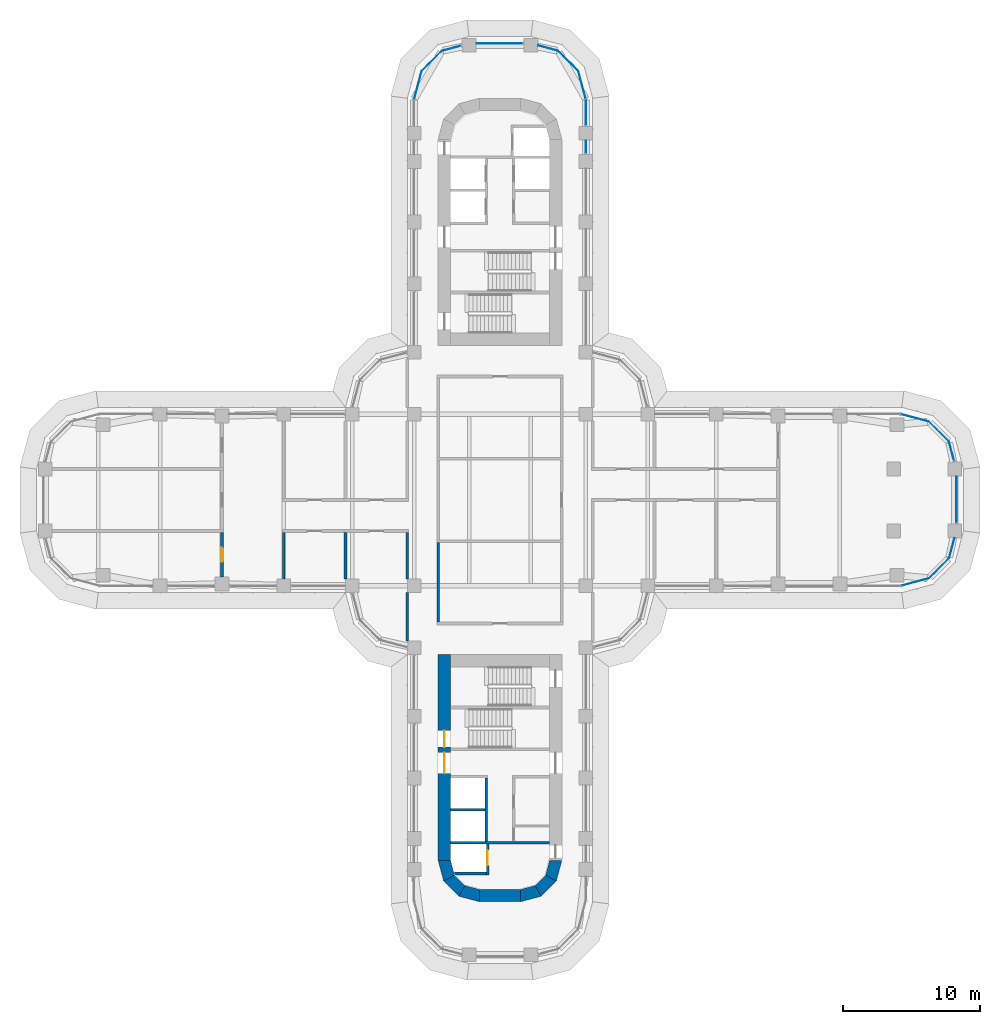
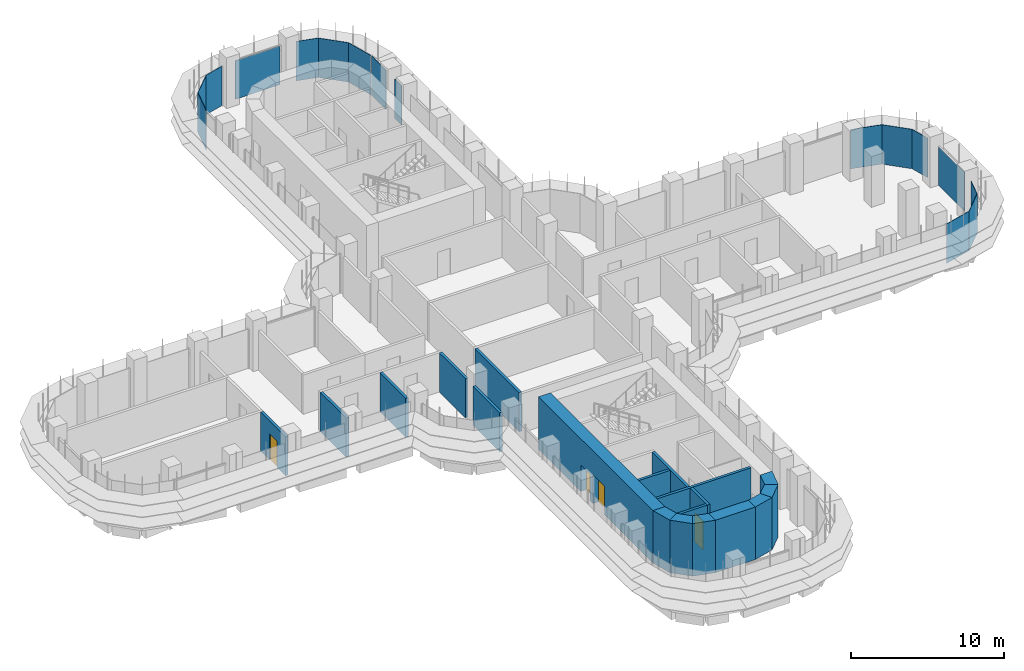
# One storey, part 16 of 23: 19 walls, 16 plates, 4 doors, 4 openings, 15 elements without a shape of their own.
"""IFC4 building model written with IfcOpenShell, lengths in metres."""

from ifc_helpers import new_model, si_unit, direction, frame, frame_2d, origin, place, context, subcontext, project, spatial, polyline, rectangle, outline, extrude, source, transform, mapped, material, layer, layer_set, type_object, element, fill, aggregate, save


model = new_model("IFC4")

# Units and contexts
model_context = context("Model", 3, precision=1e-05, world=origin(), true_north=direction((0.0, 1.0)))
body_context = subcontext(model_context, "Body", "Model", "MODEL_VIEW")
ifc_project = project(units=[si_unit("LENGTHUNIT", "METRE"), si_unit("AREAUNIT", "SQUARE_METRE"), si_unit("VOLUMEUNIT", "CUBIC_METRE"), si_unit("PLANEANGLEUNIT", "RADIAN"), si_unit("MASSUNIT", "GRAM", prefix="KILO")], contexts=[model_context])

# Site, building, storey
site_placement = place(None, origin())
site = spatial("IfcSite", under=ifc_project, at=site_placement, CompositionType="ELEMENT")
building_placement = place(site_placement, origin())
building = spatial("IfcBuilding", under=site, at=building_placement, Name="Zarbagh Exchange Tower", CompositionType="ELEMENT")
storey_placement = place(building_placement, frame((0.0, 0.0, 39.60009765625)))
storey = spatial("IfcBuildingStorey", under=building, at=storey_placement, Name="L08", CompositionType="ELEMENT", Elevation=39.60009765625)

# Curtain wall, plate
ifc_material_1 = material(Name="Anodised aluminium frame and glazing", Category="aluminium")
curtain_wall_type = type_object("IfcCurtainWallType", Name="CWA Ribbon glazing, lower zones", PredefinedType="NOTDEFINED", material=ifc_material_1)
curtain_wall_1_placement = place(storey_placement, origin())
curtain_wall_1 = element("IfcCurtainWall", 1, at=curtain_wall_1_placement, inside=storey, type_object=curtain_wall_type, Name="CWA13 curtain wall", PredefinedType="NOTDEFINED")
ifc_material_2 = material(Name="Low-e double glazed unit, 6+12+6 mm")
ifc_layer_1 = layer(ifc_material_2, 0.028076171875)
ifc_layer_set_1 = layer_set([ifc_layer_1], Name="PAA Glazing panel, Low-e double glazed unit, 6+12+6 mm")
plate_type = type_object("IfcPlateType", Name="PAA Glazing panel, Low-e double glazed unit, 6+12+6 mm", PredefinedType="CURTAIN_PANEL", material=ifc_layer_set_1)
shared_shape_1 = source(origin(), body_context, "Body", "SweptSolid", [
    extrude(outline(polyline([(0.0, -0.013916015625), (1.4423828125, -0.013916015625), (1.4423828125, 0.013916015625), (0.0, 0.013916015625), (0.0, -0.013916015625)])), origin(), (0.0, 0.0, 1.0), 3.14990234375),
])
placement = place(storey_placement, origin())
plate_1 = element("IfcPlate", 2, at=placement, type_object=plate_type, Name="CWA13 glazing panel 1.1", PredefinedType="CURTAIN_PANEL", context=body_context, shape_type="MappedRepresentation", body=[
    mapped(shared_shape_1, transform((33.072021484375, 2.847900390625, 0.0), x_axis=(-0.258824779902, 0.965924289636, 0.0), y_axis=(-0.965924289636, -0.258824779902, 0.0), z_axis=(0.0, 0.0, 1.0))),
])
aggregate(curtain_wall_1, [plate_1])

curtain_wall_2_placement = place(storey_placement, origin())
curtain_wall_2 = element("IfcCurtainWall", 3, at=curtain_wall_2_placement, inside=storey, type_object=curtain_wall_type, Name="CWA25 curtain wall", PredefinedType="NOTDEFINED")
plate_2 = element("IfcPlate", 4, at=placement, type_object=plate_type, Name="CWA25 glazing panel 1.1", PredefinedType="CURTAIN_PANEL", context=body_context, shape_type="MappedRepresentation", body=[
    mapped(shared_shape_1, transform((-2.847900390625, 33.072021484375, 0.0), x_axis=(-0.965924289636, -0.258824779902, 0.0), y_axis=(0.258824779902, -0.965924289636, 0.0), z_axis=(0.0, 0.0, 1.0))),
])
aggregate(curtain_wall_2, [plate_2])

curtain_wall_3_placement = place(storey_placement, origin())
curtain_wall_3 = element("IfcCurtainWall", 5, at=curtain_wall_3_placement, inside=storey, type_object=curtain_wall_type, Name="CWA10 curtain wall", PredefinedType="NOTDEFINED")
shared_shape_2 = source(origin(), body_context, "Body", "SweptSolid", [
    extrude(outline(polyline([(0.0, -0.013916015625), (2.061279296875, -0.013916015625), (2.061279296875, 0.013916015625), (0.0, 0.013916015625), (0.0, -0.013916015625)])), origin(), (0.0, 0.0, 1.0), 3.14990234375),
])
plate_3 = element("IfcPlate", 6, at=placement, type_object=plate_type, Name="CWA10 glazing panel 1.1", PredefinedType="CURTAIN_PANEL", context=body_context, shape_type="MappedRepresentation", body=[
    mapped(shared_shape_2, transform((31.2412109375, -5.69873046875, 0.0), x_axis=(0.707106781187, 0.707106781187, 0.0), y_axis=(-0.707106781187, 0.707106781187, 0.0), z_axis=(0.0, 0.0, 1.0))),
])
aggregate(curtain_wall_3, [plate_3])

curtain_wall_4_placement = place(storey_placement, origin())
curtain_wall_4 = element("IfcCurtainWall", 7, at=curtain_wall_4_placement, inside=storey, type_object=curtain_wall_type, Name="CWA14 curtain wall", PredefinedType="NOTDEFINED")
plate_4 = element("IfcPlate", 8, at=placement, type_object=plate_type, Name="CWA14 glazing panel 1.1", PredefinedType="CURTAIN_PANEL", context=body_context, shape_type="MappedRepresentation", body=[
    mapped(shared_shape_2, transform((32.69873046875, 4.2412109375, 0.0), x_axis=(-0.707106781187, 0.707106781187, 0.0), y_axis=(-0.707106781187, -0.707106781187, 0.0), z_axis=(0.0, 0.0, 1.0))),
])
aggregate(curtain_wall_4, [plate_4])

curtain_wall_5_placement = place(storey_placement, origin())
curtain_wall_5 = element("IfcCurtainWall", 9, at=curtain_wall_5_placement, inside=storey, type_object=curtain_wall_type, Name="CWA22 curtain wall", PredefinedType="NOTDEFINED")
plate_5 = element("IfcPlate", 10, at=placement, type_object=plate_type, Name="CWA22 glazing panel 1.1", PredefinedType="CURTAIN_PANEL", context=body_context, shape_type="MappedRepresentation", body=[
    mapped(shared_shape_2, transform((5.69873046875, 31.2412109375, 0.0), x_axis=(-0.707106781187, 0.707106781187, 0.0), y_axis=(-0.707106781187, -0.707106781187, 0.0), z_axis=(0.0, 0.0, 1.0))),
])
aggregate(curtain_wall_5, [plate_5])

curtain_wall_6_placement = place(storey_placement, origin())
curtain_wall_6 = element("IfcCurtainWall", 11, at=curtain_wall_6_placement, inside=storey, type_object=curtain_wall_type, Name="CWA26 curtain wall", PredefinedType="NOTDEFINED")
plate_6 = element("IfcPlate", 12, at=placement, type_object=plate_type, Name="CWA26 glazing panel 1.1", PredefinedType="CURTAIN_PANEL", context=body_context, shape_type="MappedRepresentation", body=[
    mapped(shared_shape_2, transform((-4.2412109375, 32.69873046875, 0.0), x_axis=(-0.707106781187, -0.707106781187, 0.0), y_axis=(0.707106781187, -0.707106781187, 0.0), z_axis=(0.0, 0.0, 1.0))),
])
aggregate(curtain_wall_6, [plate_6])

curtain_wall_7_placement = place(storey_placement, origin())
curtain_wall_7 = element("IfcCurtainWall", 13, at=curtain_wall_7_placement, inside=storey, type_object=curtain_wall_type, Name="CWA15 curtain wall", PredefinedType="NOTDEFINED")
shared_shape_3 = source(origin(), body_context, "Body", "SweptSolid", [
    extrude(outline(polyline([(0.0, -0.013916015625), (2.129638671875, -0.013916015625), (2.129638671875, 0.013916015625), (0.0, 0.013916015625), (0.0, -0.013916015625)])), origin(), (0.0, 0.0, 1.0), 3.14990234375),
])
plate_7 = element("IfcPlate", 14, at=placement, type_object=plate_type, Name="CWA15 glazing panel 1.1", PredefinedType="CURTAIN_PANEL", context=body_context, shape_type="MappedRepresentation", body=[
    mapped(shared_shape_3, transform((31.2412109375, 5.69873046875, 0.0), x_axis=(-0.965924289636, 0.258824779902, 0.0), y_axis=(-0.258824779902, -0.965924289636, 0.0), z_axis=(0.0, 0.0, 1.0))),
])
aggregate(curtain_wall_7, [plate_7])

curtain_wall_8_placement = place(storey_placement, origin())
curtain_wall_8 = element("IfcCurtainWall", 15, at=curtain_wall_8_placement, inside=storey, type_object=curtain_wall_type, Name="CWA27 curtain wall", PredefinedType="NOTDEFINED")
plate_8 = element("IfcPlate", 16, at=placement, type_object=plate_type, Name="CWA27 glazing panel 1.1", PredefinedType="CURTAIN_PANEL", context=body_context, shape_type="MappedRepresentation", body=[
    mapped(shared_shape_3, transform((-5.69873046875, 31.2412109375, 0.0), x_axis=(-0.258824779902, -0.965924289636, 0.0), y_axis=(0.965924289636, -0.258824779902, 0.0), z_axis=(0.0, 0.0, 1.0))),
])
aggregate(curtain_wall_8, [plate_8])

curtain_wall_9_placement = place(storey_placement, origin())
curtain_wall_9 = element("IfcCurtainWall", 17, at=curtain_wall_9_placement, inside=storey, type_object=curtain_wall_type, Name="CWA09 curtain wall", PredefinedType="NOTDEFINED")
shared_shape_4 = source(origin(), body_context, "Body", "SweptSolid", [
    extrude(outline(polyline([(0.0, -0.013916015625), (2.069580078125, -0.013916015625), (2.069580078125, 0.013916015625), (0.0, 0.013916015625), (0.0, -0.013916015625)])), origin(), (0.0, 0.0, 1.0), 3.14990234375),
])
plate_9 = element("IfcPlate", 18, at=placement, type_object=plate_type, Name="CWA09 glazing panel 1.1", PredefinedType="CURTAIN_PANEL", context=body_context, shape_type="MappedRepresentation", body=[
    mapped(shared_shape_4, transform((29.2421875, -6.234375, 0.0), x_axis=(0.965924289636, 0.258824779902, 0.0), y_axis=(-0.258824779902, 0.965924289636, 0.0), z_axis=(0.0, 0.0, 1.0))),
])
aggregate(curtain_wall_9, [plate_9])

curtain_wall_10_placement = place(storey_placement, origin())
curtain_wall_10 = element("IfcCurtainWall", 19, at=curtain_wall_10_placement, inside=storey, type_object=curtain_wall_type, Name="CWA21 curtain wall", PredefinedType="NOTDEFINED")
plate_10 = element("IfcPlate", 20, at=placement, type_object=plate_type, Name="CWA21 glazing panel 1.1", PredefinedType="CURTAIN_PANEL", context=body_context, shape_type="MappedRepresentation", body=[
    mapped(shared_shape_4, transform((6.234375, 29.2421875, 0.0), x_axis=(-0.258824779902, 0.965924289636, 0.0), y_axis=(-0.965924289636, -0.258824779902, 0.0), z_axis=(0.0, 0.0, 1.0))),
])
aggregate(curtain_wall_10, [plate_10])

curtain_wall_11_placement = place(storey_placement, origin())
curtain_wall_11 = element("IfcCurtainWall", 21, at=curtain_wall_11_placement, inside=storey, type_object=curtain_wall_type, Name="CWA11 curtain wall", PredefinedType="NOTDEFINED")
shared_shape_5 = source(origin(), body_context, "Body", "SweptSolid", [
    extrude(outline(polyline([(0.0, -0.013916015625), (1.50244140625, -0.013916015625), (1.50244140625, 0.013916015625), (0.0, 0.013916015625), (0.0, -0.013916015625)])), origin(), (0.0, 0.0, 1.0), 3.14990234375),
])
plate_11 = element("IfcPlate", 22, at=placement, type_object=plate_type, Name="CWA11 glazing panel 1.1", PredefinedType="CURTAIN_PANEL", context=body_context, shape_type="MappedRepresentation", body=[
    mapped(shared_shape_5, transform((32.69873046875, -4.2412109375, 0.0), x_axis=(0.258824779902, 0.965924289636, 0.0), y_axis=(-0.965924289636, 0.258824779902, 0.0), z_axis=(0.0, 0.0, 1.0))),
])
aggregate(curtain_wall_11, [plate_11])

curtain_wall_12_placement = place(storey_placement, origin())
curtain_wall_12 = element("IfcCurtainWall", 23, at=curtain_wall_12_placement, inside=storey, type_object=curtain_wall_type, Name="CWA23 curtain wall", PredefinedType="NOTDEFINED")
plate_12 = element("IfcPlate", 24, at=placement, type_object=plate_type, Name="CWA23 glazing panel 1.1", PredefinedType="CURTAIN_PANEL", context=body_context, shape_type="MappedRepresentation", body=[
    mapped(shared_shape_5, transform((4.2412109375, 32.69873046875, 0.0), x_axis=(-0.965924289636, 0.258824779902, 0.0), y_axis=(-0.258824779902, -0.965924289636, 0.0), z_axis=(0.0, 0.0, 1.0))),
])
aggregate(curtain_wall_12, [plate_12])

curtain_wall_13_placement = place(storey_placement, origin())
curtain_wall_13 = element("IfcCurtainWall", 25, at=curtain_wall_13_placement, inside=storey, type_object=curtain_wall_type, Name="CWA12 curtain wall", PredefinedType="NOTDEFINED")
shared_shape_6 = source(origin(), body_context, "Body", "SweptSolid", [
    extrude(outline(polyline([(0.0, -0.013916015625), (3.360107421875, -0.013916015625), (3.360107421875, 0.013916015625), (0.0, 0.013916015625), (0.0, -0.013916015625)])), origin(), (0.0, 0.0, 1.0), 3.090087890625),
])
plate_13 = element("IfcPlate", 26, at=placement, type_object=plate_type, Name="CWA12 glazing panel 1.1", PredefinedType="CURTAIN_PANEL", context=body_context, shape_type="MappedRepresentation", body=[
    mapped(shared_shape_6, transform((33.25, -1.64990234375, 0.0), x_axis=(0.0, 1.0, 0.0), y_axis=(-1.0, 0.0, 0.0), z_axis=(0.0, 0.0, 1.0))),
])
aggregate(curtain_wall_13, [plate_13])

curtain_wall_14_placement = place(storey_placement, origin())
curtain_wall_14 = element("IfcCurtainWall", 27, at=curtain_wall_14_placement, inside=storey, type_object=curtain_wall_type, Name="CWA24 curtain wall", PredefinedType="NOTDEFINED")
plate_14 = element("IfcPlate", 28, at=placement, type_object=plate_type, Name="CWA24 glazing panel 1.1", PredefinedType="CURTAIN_PANEL", context=body_context, shape_type="MappedRepresentation", body=[
    mapped(shared_shape_6, transform((1.64990234375, 33.25, 0.0), x_axis=(-1.0, 0.0, 0.0), y_axis=(0.0, -1.0, 0.0), z_axis=(0.0, 0.0, 1.0))),
])
aggregate(curtain_wall_14, [plate_14])

# Curtain wall, plates
curtain_wall_15_placement = place(storey_placement, origin())
curtain_wall_15 = element("IfcCurtainWall", 29, at=curtain_wall_15_placement, inside=storey, type_object=curtain_wall_type, Name="CWA20 curtain wall", PredefinedType="NOTDEFINED")
shared_shape_7 = source(origin(), body_context, "Body", "SweptSolid", [
    extrude(outline(polyline([(0.0, -0.013916015625), (0.909912109375, -0.013916015625), (0.909912109375, 0.013916015625), (0.0, 0.013916015625), (0.0, -0.013916015625)])), origin(), (0.0, 0.0, 1.0), 3.14990234375),
])
plate_15 = element("IfcPlate", 30, at=placement, type_object=plate_type, Name="CWA20 glazing panel 4.1", PredefinedType="CURTAIN_PANEL", context=body_context, shape_type="MappedRepresentation", body=[
    mapped(shared_shape_7, transform((6.25, 25.25, 0.0), x_axis=(0.0, 1.0, 0.0), y_axis=(-1.0, 0.0, 0.0), z_axis=(0.0, 0.0, 1.0))),
])
shared_shape_8 = source(origin(), body_context, "Body", "SweptSolid", [
    extrude(outline(polyline([(0.0, -0.013916015625), (1.884033203125, -0.013916015625), (1.884033203125, 0.013916015625), (0.0, 0.013916015625), (0.0, -0.013916015625)])), origin(), (0.0, 0.0, 1.0), 3.14990234375),
])
plate_16 = element("IfcPlate", 31, at=placement, type_object=plate_type, Name="CWA20 glazing panel 5.1", PredefinedType="CURTAIN_PANEL", context=body_context, shape_type="MappedRepresentation", body=[
    mapped(shared_shape_8, transform((6.25, 27.300048828125, 0.0), x_axis=(0.0, 1.0, 0.0), y_axis=(-1.0, 0.0, 0.0), z_axis=(0.0, 0.0, 1.0))),
])
aggregate(curtain_wall_15, [plate_15, plate_16])

# Walls
ifc_material_3 = material(Name="Fire-rated plasterboard partition")
ifc_layer_2 = layer(ifc_material_3, 0.199951171875)
ifc_layer_set_2 = layer_set([ifc_layer_2], Name="RATED PARTITION 200")
wall_type_1 = type_object("IfcWallType", Name="RATED PARTITION 200", PredefinedType="PARTITIONING", material=ifc_layer_set_2)
wall_1_placement = place(storey_placement, frame((-4.5, -8.89990234375, 0.0), z_axis=(0.0, 0.0, 1.0), x_axis=(0.0, 1.0, 0.0)))
element("IfcWall", 32, at=wall_1_placement, inside=storey, type_object=wall_type_1, Name="Partition W-203", PredefinedType="PARTITIONING", context=body_context, shape_type="SweptSolid", body=[
    extrude(rectangle(XDim=5.7998046875, YDim=0.199951171875, at=frame_2d((2.89990234375, 0.0))), origin(), (0.0, 0.0, 1.0), 3.13037109375),
])
wall_2_placement = place(storey_placement, frame((-6.75, -10.25, 0.0), z_axis=(0.0, 0.0, 1.0), x_axis=(0.0, 1.0, 0.0)))
element("IfcWall", 33, at=wall_2_placement, inside=storey, type_object=wall_type_1, Name="Partition W-206", PredefinedType="PARTITIONING", context=body_context, shape_type="SweptSolid", body=[
    extrude(rectangle(XDim=3.5, YDim=0.199951171875, at=frame_2d((1.75, 0.0))), origin(), (0.0, 0.0, 1.0), 3.13037109375),
])
for number, where, z_axis, x_axis, name in (
    (34, (-6.75, -5.75, 0.0), (0.0, 0.0, 1.0), (0.0, 1.0, 0.0), "Partition W-207"),
    (35, (-11.25, -5.75, 0.0), (0.0, 0.0, 1.0), (0.0, 1.0, 0.0), "Partition W-235"),
    (36, (-15.75, -5.75, 0.0), (0.0, 0.0, 1.0), (0.0, 1.0, 0.0), "Partition W-237"),
):
    element("IfcWall", number, at=place(storey_placement, frame(where, z_axis=z_axis, x_axis=x_axis)), inside=storey, type_object=wall_type_1, Name=name, PredefinedType="PARTITIONING", context=body_context, shape_type="SweptSolid", body=[
        extrude(rectangle(XDim=3.39990234375, YDim=0.199951171875, at=frame_2d((1.699951171875, 0.0))), origin(), (0.0, 0.0, 1.0), 3.13037109375),
    ])

# Wall, opening, door
wall_3_placement = place(storey_placement, frame((-20.25, -5.610107421875, 0.0), z_axis=(0.0, 0.0, 1.0), x_axis=(0.0, 1.0, 0.0)))
wall_3 = element("IfcWall", 37, at=wall_3_placement, inside=storey, type_object=wall_type_1, Name="Partition W-238", PredefinedType="PARTITIONING", context=body_context, shape_type="SweptSolid", body=[
    extrude(rectangle(XDim=3.260009765625, YDim=0.199951171875, at=frame_2d((1.6298828125, 0.0))), origin(), (0.0, 0.0, 1.0), 3.13037109375),
])
opening_1_placement = place(wall_3_placement, frame((1.1298828125, 0.0, 0.0)))
opening_1 = element("IfcOpeningElement", 38, at=opening_1_placement, cuts=wall_3, Name="Opening D-214", PredefinedType="OPENING", context=body_context, shape_type="SweptSolid", body=[
    extrude(rectangle(XDim=1.0, YDim=2.10009765625, at=frame_2d((0.5, 1.050048828125))), frame((0.0, 0.10986328125, 0.0), z_axis=(0.0, -1.0, 0.0), x_axis=(1.0, 0.0, 0.0)), (0.0, 0.0, 1.0), 0.219970703125),
])
ifc_material_4 = material(Name="Steel door set", Category="steel")
door_type_1 = type_object("IfcDoorType", Name="FIRE DOOR 1000 X 2100 FD30S", OperationType="NOTDEFINED", PredefinedType="DOOR", material=ifc_material_4)
door_1_placement = place(opening_1_placement, origin())
door_1 = element("IfcDoor", 39, at=door_1_placement, inside=storey, type_object=door_type_1, Name="Door D-214", OperationType="SINGLE_SWING_LEFT", OverallHeight=2.10009765625, OverallWidth=1.0, PredefinedType="DOOR", context=body_context, shape_type="SweptSolid", body=[
    extrude(rectangle(XDim=1.0, YDim=2.10009765625, at=frame_2d((0.5, 1.050048828125))), frame((0.0, 0.02490234375, 0.0), z_axis=(0.0, -1.0, 0.0), x_axis=(1.0, 0.0, 0.0)), (0.0, 0.0, 1.0), 0.050048828125),
])
fill(opening_1, door_1)

# Walls
ifc_material_5 = material(Name="Concrete C60/75", Category="concrete")
ifc_layer_3 = layer(ifc_material_5, 0.89990234375)
ifc_layer_set_3 = layer_set([ifc_layer_3], Name="RC core corner wall 900 C60/75")
wall_type_2 = type_object("IfcWallType", Name="RC core corner wall 900 C60/75", PredefinedType="SHEAR", material=ifc_layer_set_3)
wall_4_placement = place(storey_placement, origin())
element("IfcWall", 40, at=wall_4_placement, inside=storey, type_object=wall_type_2, Name="CW2 core S corner W", PredefinedType="SHEAR", context=body_context, shape_type="SweptSolid", body=[
    extrude(outline(polyline([(-4.5, -26.25), (-4.09814453125, -27.75), (-3.318603515625, -27.300048828125), (-3.60009765625, -26.25), (-4.5, -26.25)])), origin(), (0.0, 0.0, 1.0), 4.199951171875),
])
wall_5_placement = place(storey_placement, origin())
element("IfcWall", 41, at=wall_5_placement, inside=storey, type_object=wall_type_2, Name="CW2 core S corner W", PredefinedType="SHEAR", context=body_context, shape_type="SweptSolid", body=[
    extrude(outline(polyline([(-4.09814453125, -27.75), (-3.0, -28.84814453125), (-2.550048828125, -28.068603515625), (-3.318603515625, -27.300048828125), (-4.09814453125, -27.75)])), origin(), (0.0, 0.0, 1.0), 4.199951171875),
])
wall_6_placement = place(storey_placement, origin())
element("IfcWall", 42, at=wall_6_placement, inside=storey, type_object=wall_type_2, Name="CW2 core S corner W", PredefinedType="SHEAR", context=body_context, shape_type="SweptSolid", body=[
    extrude(outline(polyline([(-3.0, -28.84814453125), (-1.5, -29.25), (-1.5, -28.35009765625), (-2.550048828125, -28.068603515625), (-3.0, -28.84814453125)])), origin(), (0.0, 0.0, 1.0), 4.199951171875),
])
wall_7_placement = place(storey_placement, origin())
element("IfcWall", 43, at=wall_7_placement, inside=storey, type_object=wall_type_2, Name="CW2 core S corner E", PredefinedType="SHEAR", context=body_context, shape_type="SweptSolid", body=[
    extrude(outline(polyline([(4.5, -26.25), (4.09814453125, -27.75), (3.318603515625, -27.300048828125), (3.60009765625, -26.25), (4.5, -26.25)])), origin(), (0.0, 0.0, 1.0), 4.199951171875),
])
wall_8_placement = place(storey_placement, origin())
element("IfcWall", 44, at=wall_8_placement, inside=storey, type_object=wall_type_2, Name="CW2 core S corner E", PredefinedType="SHEAR", context=body_context, shape_type="SweptSolid", body=[
    extrude(outline(polyline([(4.09814453125, -27.75), (3.0, -28.84814453125), (2.550048828125, -28.068603515625), (3.318603515625, -27.300048828125), (4.09814453125, -27.75)])), origin(), (0.0, 0.0, 1.0), 4.199951171875),
])
wall_9_placement = place(storey_placement, origin())
element("IfcWall", 45, at=wall_9_placement, inside=storey, type_object=wall_type_2, Name="CW2 core S corner E", PredefinedType="SHEAR", context=body_context, shape_type="SweptSolid", body=[
    extrude(outline(polyline([(3.0, -28.84814453125), (1.5, -29.25), (1.5, -28.35009765625), (2.550048828125, -28.068603515625), (3.0, -28.84814453125)])), origin(), (0.0, 0.0, 1.0), 4.199951171875),
])

# Wall, openings, doors
ifc_layer_4 = layer(ifc_material_5, 0.89990234375)
ifc_layer_set_4 = layer_set([ifc_layer_4], Name="RC core wall 900 C60/75")
wall_type_3 = type_object("IfcWallType", Name="RC core wall 900 C60/75", PredefinedType="SHEAR", material=ifc_layer_set_4)
wall_10_placement = place(storey_placement, frame((-4.050048828125, -11.25, 0.0), z_axis=(0.0, 0.0, 1.0), x_axis=(0.0, -1.0, 0.0)))
wall_10 = element("IfcWall", 46, at=wall_10_placement, inside=storey, type_object=wall_type_3, Name="CW1 core S W", PredefinedType="SHEAR", context=body_context, shape_type="SweptSolid", body=[
    extrude(rectangle(XDim=15.0, YDim=0.89990234375, at=frame_2d((7.5, 0.0))), origin(), (0.0, 0.0, 1.0), 4.199951171875),
])
opening_2_placement = place(wall_10_placement, frame((7.14990234375, 0.0, 0.0)))
opening_2 = element("IfcOpeningElement", 47, at=opening_2_placement, cuts=wall_10, Name="Opening CD1-1500", PredefinedType="OPENING", context=body_context, shape_type="SweptSolid", body=[
    extrude(rectangle(XDim=1.5, YDim=2.300048828125, at=frame_2d((0.75, 1.14990234375))), frame((0.0, 0.4599609375, 0.0), z_axis=(0.0, -1.0, 0.0), x_axis=(1.0, 0.0, 0.0)), (0.0, 0.0, 1.0), 0.919921875),
])
opening_3_placement = place(wall_10_placement, frame((5.550048828125, 0.0, 0.0)))
opening_3 = element("IfcOpeningElement", 48, at=opening_3_placement, cuts=wall_10, Name="Opening SD1-1200", PredefinedType="OPENING", context=body_context, shape_type="SweptSolid", body=[
    extrude(rectangle(XDim=1.199951171875, YDim=2.10009765625, at=frame_2d((0.60009765625, 1.050048828125))), frame((0.0, 0.4599609375, 0.0), z_axis=(0.0, -1.0, 0.0), x_axis=(1.0, 0.0, 0.0)), (0.0, 0.0, 1.0), 0.919921875),
])
ifc_material_6 = material(Name="Steel", Category="steel")
door_type_2 = type_object("IfcDoorType", Name="Exit stair door 1200 x 2100", OperationType="NOTDEFINED", PredefinedType="DOOR", material=ifc_material_6)
door_2_placement = place(opening_3_placement, origin())
door_2 = element("IfcDoor", 49, at=door_2_placement, inside=storey, type_object=door_type_2, Name="South core stair door ST1", OperationType="SINGLE_SWING_RIGHT", OverallHeight=2.10009765625, OverallWidth=1.199951171875, PredefinedType="DOOR", context=body_context, shape_type="SweptSolid", body=[
    extrude(rectangle(XDim=1.199951171875, YDim=2.10009765625, at=frame_2d((0.60009765625, 1.050048828125))), frame((0.0, 0.02490234375, 0.0), z_axis=(0.0, -1.0, 0.0), x_axis=(1.0, 0.0, 0.0)), (0.0, 0.0, 1.0), 0.050048828125),
])
fill(opening_3, door_2)
door_type_3 = type_object("IfcDoorType", Name="Lift lobby double door 1500 x 2300", OperationType="NOTDEFINED", PredefinedType="DOOR", material=ifc_material_6)
door_3_placement = place(opening_2_placement, origin())
door_3 = element("IfcDoor", 50, at=door_3_placement, inside=storey, type_object=door_type_3, Name="South core lift lobby door LOBBY-E", OperationType="DOUBLE_DOOR_SINGLE_SWING", OverallHeight=2.300048828125, OverallWidth=1.5, PredefinedType="DOOR", context=body_context, shape_type="SweptSolid", body=[
    extrude(rectangle(XDim=1.5, YDim=2.300048828125, at=frame_2d((0.75, 1.14990234375))), frame((0.0, 0.02490234375, 0.0), z_axis=(0.0, -1.0, 0.0), x_axis=(1.0, 0.0, 0.0)), (0.0, 0.0, 1.0), 0.050048828125),
])
fill(opening_2, door_3)

# Walls
wall_11_placement = place(storey_placement, frame((-1.5, -28.800048828125, 0.0), z_axis=(0.0, 0.0, 1.0), x_axis=(1.0, 0.0, 0.0)))
element("IfcWall", 51, at=wall_11_placement, inside=storey, type_object=wall_type_3, Name="CW1 core S outer end", PredefinedType="SHEAR", context=body_context, shape_type="SweptSolid", body=[
    extrude(rectangle(XDim=3.0, YDim=0.89990234375, at=frame_2d((1.5, 0.0))), origin(), (0.0, 0.0, 1.0), 4.199951171875),
])
ifc_material_7 = material(Name="Dense blockwork", Category="masonry")
ifc_layer_5 = layer(ifc_material_7, 0.199951171875)
ifc_layer_set_5 = layer_set([ifc_layer_5], Name="Shaft wall 200 mm blockwork")
wall_type_4 = type_object("IfcWallType", Name="Shaft wall 200 mm blockwork", PredefinedType="PARTITIONING", material=ifc_layer_set_5)
wall_12_placement = place(storey_placement, frame((-1.0, -24.85009765625, 0.0), z_axis=(0.0, 0.0, 1.0), x_axis=(0.0, 1.0, 0.0)))
element("IfcWall", 52, at=wall_12_placement, inside=storey, type_object=wall_type_4, Name="South core shaft wall LW-E", PredefinedType="PARTITIONING", context=body_context, shape_type="SweptSolid", body=[
    extrude(rectangle(XDim=4.60009765625, YDim=0.199951171875, at=frame_2d((2.300048828125, 0.0))), origin(), (0.0, 0.0, 1.0), 4.0498046875),
])
wall_13_placement = place(storey_placement, frame((-1.10009765625, -22.550048828125, 0.0), z_axis=(0.0, 0.0, 1.0), x_axis=(-1.0, 0.0, 0.0)))
element("IfcWall", 53, at=wall_13_placement, inside=storey, type_object=wall_type_4, Name="South core shaft wall TR-E", PredefinedType="PARTITIONING", context=body_context, shape_type="SweptSolid", body=[
    extrude(rectangle(XDim=2.5, YDim=0.199951171875, at=frame_2d((1.25, 0.0))), origin(), (0.0, 0.0, 1.0), 4.0498046875),
])
ifc_material_8 = material(Name="Concrete C40/50", Category="concrete")
ifc_layer_6 = layer(ifc_material_8, 0.199951171875)
ifc_layer_set_6 = layer_set([ifc_layer_6], Name="Stair enclosure wall 200 mm RC C40/50")
wall_type_5 = type_object("IfcWallType", Name="Stair enclosure wall 200 mm RC C40/50", PredefinedType="SHEAR", material=ifc_layer_set_6)
wall_14_placement = place(storey_placement, frame((3.60009765625, -24.949951171875, 0.0), z_axis=(0.0, 0.0, 1.0), x_axis=(-1.0, 0.0, 0.0)))
element("IfcWall", 54, at=wall_14_placement, inside=storey, type_object=wall_type_5, Name="South core lift shaft wall FFA", PredefinedType="SHEAR", context=body_context, shape_type="SweptSolid", body=[
    extrude(rectangle(XDim=7.2001953125, YDim=0.199951171875, at=frame_2d((3.60009765625, 0.0))), origin(), (0.0, 0.0, 1.0), 4.0498046875),
])

# Wall, opening, door
wall_15_placement = place(storey_placement, frame((-0.89990234375, -27.300048828125, 0.0), z_axis=(0.0, 0.0, 1.0), x_axis=(0.0, 1.0, 0.0)))
wall_15 = element("IfcWall", 55, at=wall_15_placement, inside=storey, type_object=wall_type_5, Name="South core lift shaft wall FFL", PredefinedType="SHEAR", context=body_context, shape_type="SweptSolid", body=[
    extrude(rectangle(XDim=2.25, YDim=0.199951171875, at=frame_2d((1.125, 0.0))), origin(), (0.0, 0.0, 1.0), 4.0498046875),
])
opening_4_placement = place(wall_15_placement, frame((0.699951171875, 0.0, 0.0)))
opening_4 = element("IfcOpeningElement", 56, at=opening_4_placement, cuts=wall_15, Name="Opening LD-1100", PredefinedType="OPENING", context=body_context, shape_type="SweptSolid", body=[
    extrude(rectangle(XDim=1.10009765625, YDim=2.300048828125, at=frame_2d((0.550048828125, 1.14990234375))), frame((0.0, 0.10986328125, 0.0), z_axis=(0.0, -1.0, 0.0), x_axis=(1.0, 0.0, 0.0)), (0.0, 0.0, 1.0), 0.219970703125),
])
ifc_material_9 = material(Name="Stainless steel", Category="steel")
door_type_4 = type_object("IfcDoorType", Name="Lift landing door 1100 x 2300", OperationType="NOTDEFINED", PredefinedType="DOOR", material=ifc_material_9)
door_4_placement = place(opening_4_placement, origin())
door_4 = element("IfcDoor", 57, at=door_4_placement, inside=storey, type_object=door_type_4, Name="South core lift landing door LD-F", OperationType="DOUBLE_DOOR_SLIDING", OverallHeight=2.300048828125, OverallWidth=1.10009765625, PredefinedType="DOOR", context=body_context, shape_type="SweptSolid", body=[
    extrude(rectangle(XDim=1.10009765625, YDim=2.300048828125, at=frame_2d((0.550048828125, 1.14990234375))), frame((0.0, 0.02490234375, 0.0), z_axis=(0.0, -1.0, 0.0), x_axis=(1.0, 0.0, 0.0)), (0.0, 0.0, 1.0), 0.050048828125),
])
fill(opening_4, door_4)

# Wall
wall_16_placement = place(storey_placement, origin())
element("IfcWall", 58, at=wall_16_placement, inside=storey, type_object=wall_type_5, Name="South core lift shaft wall FFX", PredefinedType="SHEAR", context=body_context, shape_type="SweptSolid", body=[
    extrude(outline(polyline([(-1.0, -27.10009765625), (-3.340576171875, -27.10009765625), (-3.291259765625, -27.2841796875), (-3.275390625, -27.300048828125), (-1.0, -27.300048828125), (-1.0, -27.10009765625)])), origin(), (0.0, 0.0, 1.0), 4.0498046875),
])

save(model, "model.ifc")
